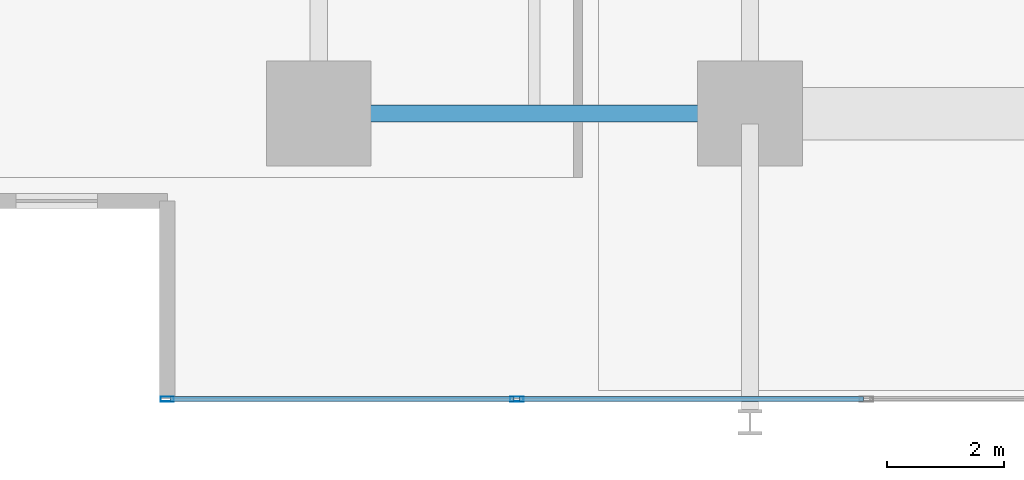
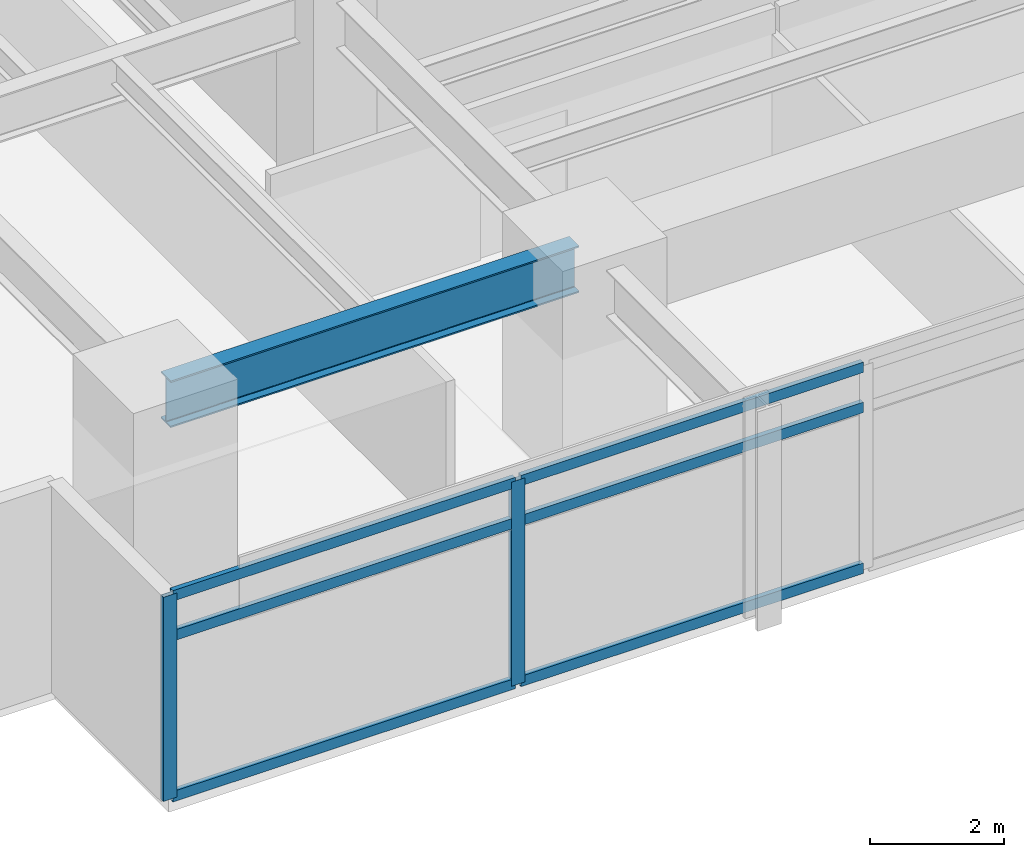
# One storey, part 2 of 21: 8 members, 1 beam, 1 element without a shape of its own.
"""IFC4 building model written with IfcOpenShell, lengths in metres."""

from ifc_helpers import new_model, si_unit, direction, frame, origin, origin_2d, place, context, subcontext, project, spatial, hollow_rectangle, i_section, extrude, material, material_profile, profile_set, type_object, element, aggregate, save


model = new_model("IFC4")

# Units and contexts
model_context = context("Model", 3, precision=1e-05, world=origin(), true_north=direction((0.0, 1.0)))
body_context = subcontext(model_context, "Body", "Model", "MODEL_VIEW")
ifc_project = project(units=[si_unit("LENGTHUNIT", "METRE"), si_unit("AREAUNIT", "SQUARE_METRE"), si_unit("VOLUMEUNIT", "CUBIC_METRE"), si_unit("PLANEANGLEUNIT", "RADIAN"), si_unit("MASSUNIT", "GRAM", prefix="KILO")], contexts=[model_context])

# Site, building, storey
site_placement = place(None, origin())
site = spatial("IfcSite", under=ifc_project, at=site_placement, CompositionType="ELEMENT")
building_placement = place(site_placement, origin())
building = spatial("IfcBuilding", under=site, at=building_placement, Name="Kovane Verandah Tower", CompositionType="ELEMENT")
storey_placement = place(building_placement, frame((0.0, 0.0, 27.60009765625)))
storey = spatial("IfcBuildingStorey", under=building, at=storey_placement, Name="L05", CompositionType="ELEMENT", Elevation=27.60009765625)

# Beam
ifc_material_1 = material(Name="Steel S355", Category="steel")
ifc_material_profile_1 = material_profile(ifc_material_1, i_section(OverallWidth=0.293701171875, OverallDepth=0.850830078125, WebThickness=0.01611328125, FlangeThickness=0.02685546875, FilletRadius=0.017822265625, at=origin_2d()), Name="UB838x292x226")
ifc_profile_set_1 = profile_set([ifc_material_profile_1], Name="Steel S355")
beam_type = type_object("IfcBeamType", Name="BM-UB838x226", PredefinedType="BEAM", material=ifc_profile_set_1)
beam_placement = place(storey_placement, frame((21.780029296875, 10.800048828125, 3.33447265625), z_axis=(1.0, 0.0, 0.0), x_axis=(0.0, 1.0, 0.0)))
element("IfcBeam", 1, at=beam_placement, inside=storey, type_object=beam_type, Name="L05 Primary Tower Girder G-RS1", PredefinedType="BEAM", context=body_context, shape_type="SweptSolid", body=[
    extrude(i_section(OverallWidth=0.293701171875, OverallDepth=0.850830078125, WebThickness=0.01611328125, FlangeThickness=0.02685546875, FilletRadius=0.017822265625, at=origin_2d()), origin(), (0.0, 0.0, 1.0), 7.0400390625),
])

# Curtain wall, members
ifc_material_2 = material(Name="Champagne Anodised Aluminium Frame with Low-E Clear Laminated Glass", Category="aluminium")
curtain_wall_type = type_object("IfcCurtainWallType", Name="CW-SYS-02-LOW", PredefinedType="NOTDEFINED", material=ifc_material_2)
curtain_wall_placement = place(storey_placement, origin())
curtain_wall = element("IfcCurtainWall", 2, at=curtain_wall_placement, inside=storey, type_object=curtain_wall_type, Name="L05 S Unitised Curtain Wall", PredefinedType="NOTDEFINED")
ifc_material_3 = material(Name="Champagne Anodised Aluminium 6063-T6", Category="aluminium")
ifc_material_profile_2 = material_profile(ifc_material_3, hollow_rectangle(XDim=0.0849609375, YDim=0.22998046875, WallThickness=0.00390625, at=origin_2d()), Name="AL85x230x4")
ifc_profile_set_2 = profile_set([ifc_material_profile_2], Name="Champagne Anodised Aluminium 6063-T6")
member_type_1 = type_object("IfcMemberType", Name="CW-MUL-85x230", PredefinedType="MULLION", material=ifc_profile_set_2)
member_1_placement = place(storey_placement, frame((19.0, 5.89990234375, 0.02001953125), z_axis=(0.0, 0.0, 1.0), x_axis=(0.0, -1.0, 0.0)))
member_1 = element("IfcMember", 3, at=member_1_placement, type_object=member_type_1, Name="L05 S Unitised Curtain Wall Mullion 1", PredefinedType="MULLION", context=body_context, shape_type="SweptSolid", body=[
    extrude(hollow_rectangle(XDim=0.0849609375, YDim=0.22998046875, WallThickness=0.00390625, at=origin_2d()), origin(), (0.0, 0.0, 1.0), 3.719970703125),
])
member_2_placement = place(storey_placement, frame((25.0, 5.89990234375, 0.02001953125), z_axis=(0.0, 0.0, 1.0), x_axis=(0.0, -1.0, 0.0)))
member_2 = element("IfcMember", 4, at=member_2_placement, type_object=member_type_1, Name="L05 S Unitised Curtain Wall Mullion 2", PredefinedType="MULLION", context=body_context, shape_type="SweptSolid", body=[
    extrude(hollow_rectangle(XDim=0.0849609375, YDim=0.22998046875, WallThickness=0.00390625, at=origin_2d()), origin(), (0.0, 0.0, 1.0), 3.719970703125),
])
ifc_material_profile_3 = material_profile(ifc_material_3, hollow_rectangle(XDim=0.0849609375, YDim=0.18994140625, WallThickness=0.00390625, at=origin_2d()), Name="AL85x190x4")
ifc_profile_set_3 = profile_set([ifc_material_profile_3], Name="Champagne Anodised Aluminium 6063-T6")
member_type_2 = type_object("IfcMemberType", Name="CW-TRN-85x190", PredefinedType="USERDEFINED", material=ifc_profile_set_3)
member_3_placement = place(storey_placement, frame((19.050048828125, 5.89990234375, 0.0498046875), z_axis=(1.0, 0.0, 0.0), x_axis=(0.0, 1.0, 0.0)))
member_3 = element("IfcMember", 5, at=member_3_placement, type_object=member_type_2, Name="L05 S Unitised Curtain Wall Transom TB Bay 1", ObjectType="TRANSOM", PredefinedType="USERDEFINED", context=body_context, shape_type="SweptSolid", body=[
    extrude(hollow_rectangle(XDim=0.0849609375, YDim=0.18994140625, WallThickness=0.00390625, at=origin_2d()), origin(), (0.0, 0.0, 1.0), 5.89990234375),
])
member_4_placement = place(storey_placement, frame((19.050048828125, 5.89990234375, 2.97998046875), z_axis=(1.0, 0.0, 0.0), x_axis=(0.0, 1.0, 0.0)))
member_4 = element("IfcMember", 6, at=member_4_placement, type_object=member_type_2, Name="L05 S Unitised Curtain Wall Transom TM Bay 1", ObjectType="TRANSOM", PredefinedType="USERDEFINED", context=body_context, shape_type="SweptSolid", body=[
    extrude(hollow_rectangle(XDim=0.0849609375, YDim=0.18994140625, WallThickness=0.00390625, at=origin_2d()), origin(), (0.0, 0.0, 1.0), 5.89990234375),
])
member_5_placement = place(storey_placement, frame((19.050048828125, 5.89990234375, 3.7099609375), z_axis=(1.0, 0.0, 0.0), x_axis=(0.0, 1.0, 0.0)))
member_5 = element("IfcMember", 7, at=member_5_placement, type_object=member_type_2, Name="L05 S Unitised Curtain Wall Transom TT Bay 1", ObjectType="TRANSOM", PredefinedType="USERDEFINED", context=body_context, shape_type="SweptSolid", body=[
    extrude(hollow_rectangle(XDim=0.0849609375, YDim=0.18994140625, WallThickness=0.00390625, at=origin_2d()), origin(), (0.0, 0.0, 1.0), 5.89990234375),
])
member_6_placement = place(storey_placement, frame((25.050048828125, 5.89990234375, 0.0498046875), z_axis=(1.0, 0.0, 0.0), x_axis=(0.0, 1.0, 0.0)))
member_6 = element("IfcMember", 8, at=member_6_placement, type_object=member_type_2, Name="L05 S Unitised Curtain Wall Transom TB Bay 2", ObjectType="TRANSOM", PredefinedType="USERDEFINED", context=body_context, shape_type="SweptSolid", body=[
    extrude(hollow_rectangle(XDim=0.0849609375, YDim=0.18994140625, WallThickness=0.00390625, at=origin_2d()), origin(), (0.0, 0.0, 1.0), 5.89990234375),
])
member_7_placement = place(storey_placement, frame((25.050048828125, 5.89990234375, 2.97998046875), z_axis=(1.0, 0.0, 0.0), x_axis=(0.0, 1.0, 0.0)))
member_7 = element("IfcMember", 9, at=member_7_placement, type_object=member_type_2, Name="L05 S Unitised Curtain Wall Transom TM Bay 2", ObjectType="TRANSOM", PredefinedType="USERDEFINED", context=body_context, shape_type="SweptSolid", body=[
    extrude(hollow_rectangle(XDim=0.0849609375, YDim=0.18994140625, WallThickness=0.00390625, at=origin_2d()), origin(), (0.0, 0.0, 1.0), 5.89990234375),
])
member_8_placement = place(storey_placement, frame((25.050048828125, 5.89990234375, 3.7099609375), z_axis=(1.0, 0.0, 0.0), x_axis=(0.0, 1.0, 0.0)))
member_8 = element("IfcMember", 10, at=member_8_placement, type_object=member_type_2, Name="L05 S Unitised Curtain Wall Transom TT Bay 2", ObjectType="TRANSOM", PredefinedType="USERDEFINED", context=body_context, shape_type="SweptSolid", body=[
    extrude(hollow_rectangle(XDim=0.0849609375, YDim=0.18994140625, WallThickness=0.00390625, at=origin_2d()), origin(), (0.0, 0.0, 1.0), 5.89990234375),
])
aggregate(curtain_wall, [member_1, member_2, member_3, member_4, member_5, member_6, member_7, member_8])

save(model, "model.ifc")
